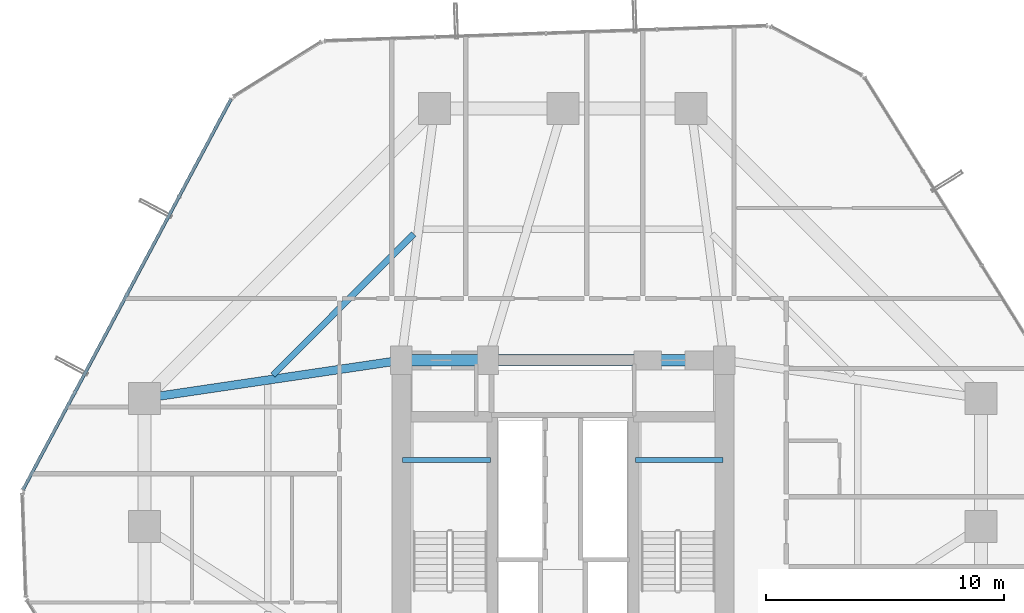
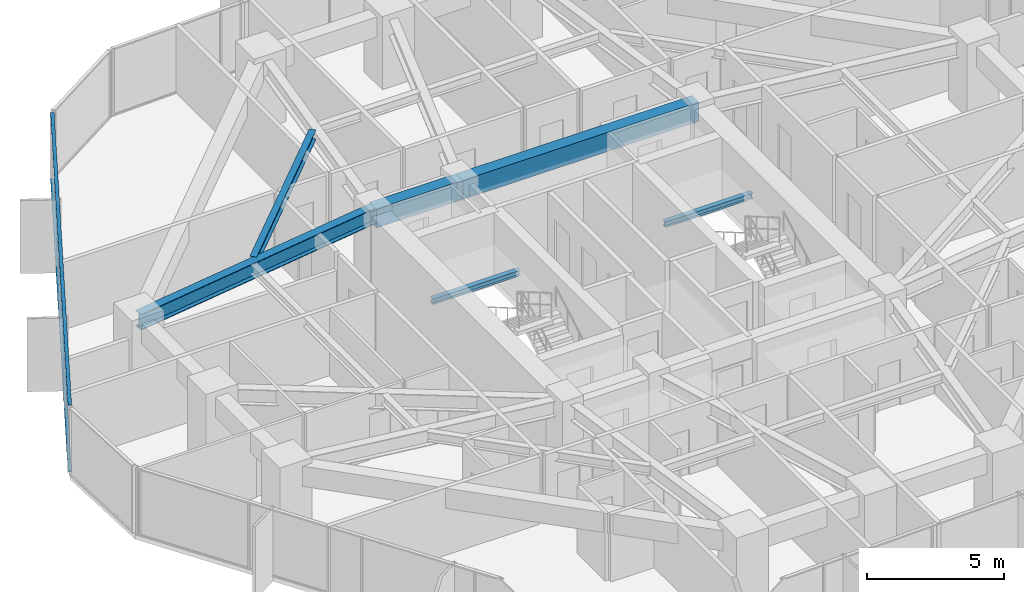
# One storey, part 13 of 39: 6 beams, 2 members, 1 element without a shape of its own.
"""IFC4 building model written with IfcOpenShell, lengths in metres."""

from ifc_helpers import new_model, si_unit, direction, frame, origin, origin_2d, place, context, subcontext, project, spatial, rectangle, hollow_rectangle, i_section, extrude, source, transform, mapped, material, layer, layer_set, material_profile, profile_set, type_object, element, aggregate, save


model = new_model("IFC4")

# Units and contexts
model_context = context("Model", 3, precision=1e-05, world=origin(), true_north=direction((0.0, 1.0)))
body_context = subcontext(model_context, "Body", "Model", "MODEL_VIEW")
ifc_project = project(units=[si_unit("LENGTHUNIT", "METRE"), si_unit("AREAUNIT", "SQUARE_METRE"), si_unit("VOLUMEUNIT", "CUBIC_METRE"), si_unit("PLANEANGLEUNIT", "RADIAN"), si_unit("MASSUNIT", "GRAM", prefix="KILO")], contexts=[model_context])

# Site, building, storey
site_placement = place(None, origin())
site = spatial("IfcSite", under=ifc_project, at=site_placement, CompositionType="ELEMENT")
building_placement = place(site_placement, origin())
building = spatial("IfcBuilding", under=site, at=building_placement, Name="Veraguas Prism Commons", CompositionType="ELEMENT")
storey_placement = place(building_placement, frame((0.0, 0.0, 30.550048828125)))
storey = spatial("IfcBuildingStorey", under=building, at=storey_placement, Name="L07", CompositionType="ELEMENT", Elevation=30.550048828125)

# Beams
ifc_material_1 = material(Name="Concrete C50/60", Category="concrete")
ifc_material_profile_1 = material_profile(ifc_material_1, rectangle(XDim=0.5, YDim=0.85009765625, at=origin_2d()), Name="RC500X850")
ifc_profile_set_1 = profile_set([ifc_material_profile_1], Name="Concrete C50/60")
beam_type_1 = type_object("IfcBeamType", Name="Core Coupling Beam RC 500x850", PredefinedType="BEAM", material=ifc_profile_set_1)
beam_1_placement = place(storey_placement, frame((17.199951171875, 31.0, 2.574951171875), z_axis=(1.0, 0.0, 0.0), x_axis=(0.0, 1.0, 0.0)))
element("IfcBeam", 1, at=beam_1_placement, inside=storey, type_object=beam_type_1, Name="Core Coupling Beam L07-CRN1", PredefinedType="BEAM", context=body_context, shape_type="SweptSolid", body=[
    extrude(rectangle(XDim=0.5, YDim=0.85009765625, at=origin_2d()), origin(), (0.0, 0.0, 1.0), 3.650146484375),
])
beam_2_placement = place(storey_placement, frame((20.85009765625, 31.0, 2.574951171875), z_axis=(1.0, 0.0, 0.0), x_axis=(0.0, 1.0, 0.0)))
element("IfcBeam", 2, at=beam_2_placement, inside=storey, type_object=beam_type_1, Name="Core Coupling Beam L07-CRN2", PredefinedType="BEAM", context=body_context, shape_type="SweptSolid", body=[
    extrude(rectangle(XDim=0.5, YDim=0.85009765625, at=origin_2d()), origin(), (0.0, 0.0, 1.0), 9.949951171875),
])
ifc_material_2 = material(Name="Steel ASTM A992 Grade 50", Category="steel")
ifc_material_profile_2 = material_profile(ifc_material_2, i_section(OverallWidth=0.260986328125, OverallDepth=0.419921875, WebThickness=0.01171875, FlangeThickness=0.019287109375, at=origin_2d()), Name="W410X114")
ifc_profile_set_2 = profile_set([ifc_material_profile_2], Name="Steel ASTM A992 Grade 50")
beam_type_2 = type_object("IfcBeamType", Name="Lower Floor Joist W410x114", PredefinedType="JOIST", material=ifc_profile_set_2)
beam_3_placement = place(storey_placement, frame((17.723388671875, 36.3076171875, 2.7900390625), z_axis=(-0.707092226423, -0.70712133565, 0.0), x_axis=(0.70712133565, -0.707092226423, 0.0)))
element("IfcBeam", 3, at=beam_3_placement, inside=storey, type_object=beam_type_2, Name="Composite Floor Joist L07-JS06", PredefinedType="JOIST", context=body_context, shape_type="SweptSolid", body=[
    extrude(i_section(OverallWidth=0.260986328125, OverallDepth=0.419921875, WebThickness=0.01171875, FlangeThickness=0.019287109375, at=origin_2d()), origin(), (0.0, 0.0, 1.0), 8.386962890625),
])
ifc_material_profile_3 = material_profile(ifc_material_2, i_section(OverallWidth=0.202880859375, OverallDepth=0.251953125, WebThickness=0.008056640625, FlangeThickness=0.013427734375, at=origin_2d()), Name="W250X58")
ifc_profile_set_3 = profile_set([ifc_material_profile_3], Name="Steel ASTM A992 Grade 50")
beam_type_3 = type_object("IfcBeamType", Name="Structural Opening Lintel W250x58", PredefinedType="LINTEL", material=ifc_profile_set_3)
for number, where, z_axis, x_axis, name in (
    (4, (17.25, 26.800048828125, 1.299072265625), (1.0, 0.0, 0.0), (0.0, 1.0, 0.0), "Stair ST-01 Half-Landing Support Beam L07-1"),
    (5, (27.050048828125, 26.800048828125, 1.299072265625), (1.0, 0.0, 0.0), (0.0, 1.0, 0.0), "Stair ST-02 Half-Landing Support Beam L07-1"),
):
    element("IfcBeam", number, at=place(storey_placement, frame(where, z_axis=z_axis, x_axis=x_axis)), inside=storey, type_object=beam_type_3, Name=name, PredefinedType="LINTEL", context=body_context, shape_type="SweptSolid", body=[
        extrude(i_section(OverallWidth=0.202880859375, OverallDepth=0.251953125, WebThickness=0.008056640625, FlangeThickness=0.013427734375, at=origin_2d()), origin(), (0.0, 0.0, 1.0), 3.699951171875),
    ])
ifc_material_profile_4 = material_profile(ifc_material_2, i_section(OverallWidth=0.35595703125, OverallDepth=0.700927734375, WebThickness=0.016845703125, FlangeThickness=0.02734375, at=origin_2d()), Name="W690X240")
ifc_profile_set_4 = profile_set([ifc_material_profile_4], Name="Steel ASTM A992 Grade 50")
beam_type_4 = type_object("IfcBeamType", Name="Zone 1 Radial Girder W690x240", PredefinedType="BEAM", material=ifc_profile_set_4)
beam_4_placement = place(storey_placement, frame((6.39990234375, 29.39990234375, 2.6494140625), z_axis=(0.989202261707, 0.146556765224, 0.0), x_axis=(-0.146556765224, 0.989202261707, 0.0)))
element("IfcBeam", 6, at=beam_4_placement, inside=storey, type_object=beam_type_4, Name="Radial Floor Girder L07-RD07", PredefinedType="BEAM", context=body_context, shape_type="SweptSolid", body=[
    extrude(i_section(OverallWidth=0.35595703125, OverallDepth=0.700927734375, WebThickness=0.016845703125, FlangeThickness=0.02734375, at=origin_2d()), origin(), (0.0, 0.0, 1.0), 10.91796875),
])

# Curtain wall, members
ifc_material_3 = material(Name="Anodised aluminium EN AW-6063 T6", Category="aluminium")
ifc_layer = layer(ifc_material_3, 0.169921875, Name="Unitised Flush Curtain Wall Zone 1", Category="aluminium")
ifc_layer_set = layer_set([ifc_layer], Name="Anodised aluminium EN AW-6063 T6")
curtain_wall_type = type_object("IfcCurtainWallType", Name="Unitised Flush Curtain Wall Zone 1", PredefinedType="NOTDEFINED", material=ifc_layer_set)
curtain_wall_placement = place(storey_placement, origin())
curtain_wall = element("IfcCurtainWall", 7, at=curtain_wall_placement, inside=storey, type_object=curtain_wall_type, Name="Tower Facade Curtain Wall L07-F3", PredefinedType="NOTDEFINED")
ifc_material_profile_5 = material_profile(ifc_material_3, hollow_rectangle(XDim=0.054931640625, YDim=0.135009765625, WallThickness=0.0029296875, at=origin_2d()), Name="AL55X135X3")
ifc_profile_set_5 = profile_set([ifc_material_profile_5], Name="Anodised aluminium EN AW-6063 T6")
member_type = type_object("IfcMemberType", Name="Curtain Wall Transom Standard AL 55x135x3", PredefinedType="USERDEFINED", material=ifc_profile_set_5)
shared_shape = source(origin(), body_context, "Body", "SweptSolid", [
    extrude(hollow_rectangle(XDim=0.054931640625, YDim=0.135009765625, WallThickness=0.0029296875, at=origin_2d()), origin(), (0.0, 0.0, 1.0), 18.623779296875),
])
member_1_placement = place(storey_placement, frame((10.032470703125, 41.989501953125, 0.02734375), z_axis=(-0.470090107597, -0.882618428733, 0.0), x_axis=(0.0, 0.0, 1.0)))
member_1 = element("IfcMember", 8, at=member_1_placement, type_object=member_type, Name="CW-Z1 Transom 1", ObjectType="TRANSOM", PredefinedType="USERDEFINED", context=body_context, shape_type="MappedRepresentation", body=[
    mapped(shared_shape, transform((0.0, 0.0, 0.0), scale=1.0)),
])
member_2_placement = place(storey_placement, frame((10.032470703125, 41.989501953125, 2.972412109375), z_axis=(-0.470090107597, -0.882618428733, 0.0), x_axis=(0.0, 0.0, 1.0)))
member_2 = element("IfcMember", 9, at=member_2_placement, type_object=member_type, Name="CW-Z1 Transom 2", ObjectType="TRANSOM", PredefinedType="USERDEFINED", context=body_context, shape_type="MappedRepresentation", body=[
    mapped(shared_shape, transform((0.0, 0.0, 0.0), scale=1.0)),
])
aggregate(curtain_wall, [member_1, member_2])

save(model, "model.ifc")
